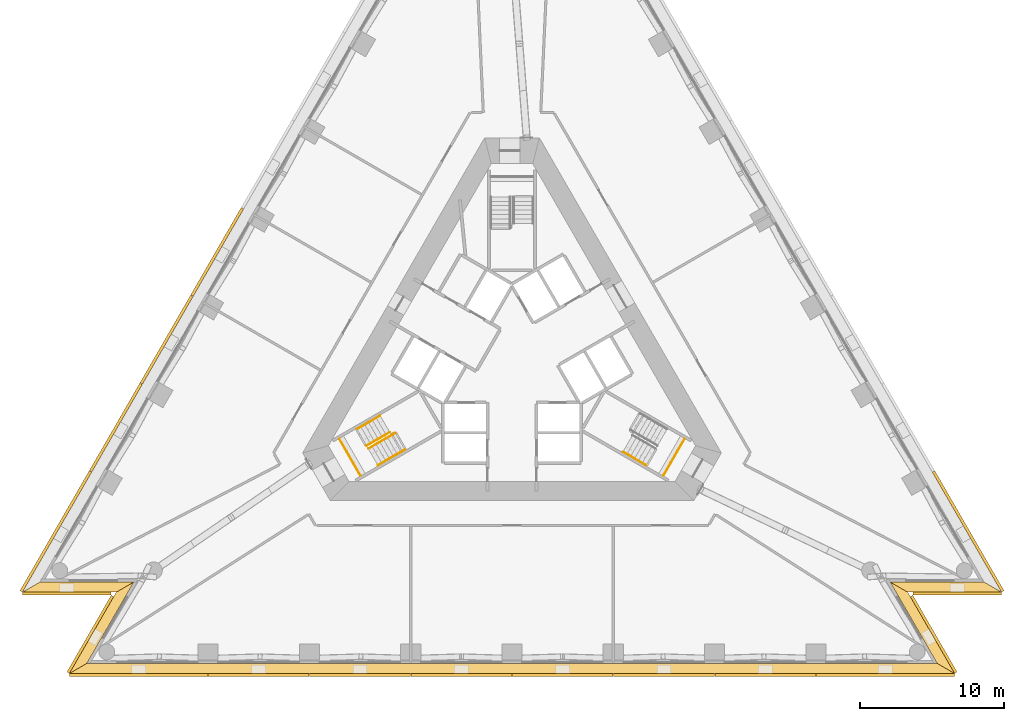
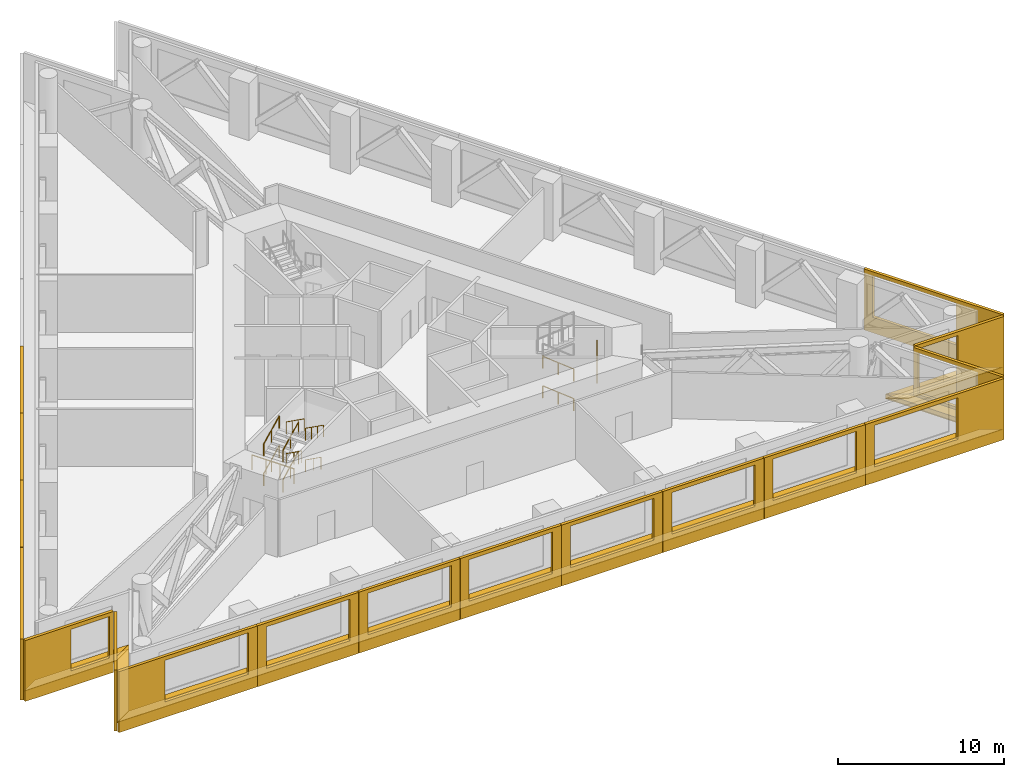
# One storey, part 11 of 12: 22 shading devices, 12 railings, 5 coverings, 2 elements without a shape of their own.
"""IFC4 building model written with IfcOpenShell, lengths in metres."""

from ifc_helpers import new_model, si_unit, direction, frame, origin, origin_2d, place, context, subcontext, project, spatial, polyline, circle, outline, extrude, material, layer, layer_set, layer_usage, type_object, element, aggregate, save


model = new_model("IFC4")

# Units and contexts
model_context = context("Model", 3, precision=1e-05, world=origin(), true_north=direction((0.0, 1.0)))
body_context = subcontext(model_context, "Body", "Model", "MODEL_VIEW")
ifc_project = project(units=[si_unit("LENGTHUNIT", "METRE"), si_unit("AREAUNIT", "SQUARE_METRE"), si_unit("VOLUMEUNIT", "CUBIC_METRE"), si_unit("PLANEANGLEUNIT", "RADIAN"), si_unit("MASSUNIT", "GRAM", prefix="KILO")], contexts=[model_context])

# Site, building, storey
site_placement = place(None, origin())
site = spatial("IfcSite", under=ifc_project, at=site_placement, CompositionType="ELEMENT")
building_placement = place(site_placement, origin())
building = spatial("IfcBuilding", under=site, at=building_placement, Name="Triada Interchange Tower", CompositionType="ELEMENT")
storey_placement = place(building_placement, frame((0.0, 0.0, 99.800048828125)))
storey = spatial("IfcBuildingStorey", under=building, at=storey_placement, Name="L22", CompositionType="ELEMENT", Elevation=99.800048828125)

# Coverings
ifc_material_1 = material(Name="Mineral fire-stop board")
ifc_layer_1 = layer(ifc_material_1, 0.0400390625, Name="Mineral fire-stop board")
ifc_material_2 = material(Name="Intumescent sealant")
ifc_layer_2 = layer(ifc_material_2, 0.010009765625, Name="Intumescent seal")
ifc_layer_set_1 = layer_set([ifc_layer_1, ifc_layer_2], Name="Cavity fire stop")
ifc_layer_usage = layer_usage(ifc_layer_set_1, "AXIS3", "POSITIVE", 0.0)
covering_type = type_object("IfcCoveringType", Name="Cavity fire stop", PredefinedType="INSULATION", material=ifc_layer_set_1)
covering_1_placement = place(storey_placement, origin())
element("IfcCovering", 1, at=covering_1_placement, inside=storey, type_object=covering_type, material=ifc_layer_usage, Name="Cavity fire stop L22 SW-1", PredefinedType="INSULATION", context=body_context, shape_type="SweptSolid", body=[
    extrude(outline(polyline([(-32.81103515625, -15.177001953125), (-34.02294921875, -15.876953125), (-27.4990234375, -15.876953125), (-26.287109375, -15.177001953125), (-32.81103515625, -15.177001953125)])), origin(), (0.0, 0.0, 1.0), 0.050048828125),
])
covering_2_placement = place(storey_placement, origin())
element("IfcCovering", 2, at=covering_2_placement, inside=storey, type_object=covering_type, material=ifc_layer_usage, Name="Cavity fire stop L22 SW-2", PredefinedType="INSULATION", context=body_context, shape_type="SweptSolid", body=[
    extrude(outline(polyline([(-26.287109375, -15.177001953125), (-27.4990234375, -15.876953125), (-30.760986328125, -21.527099609375), (-29.549072265625, -20.826904296875), (-26.287109375, -15.177001953125)])), origin(), (0.0, 0.0, 1.0), 0.050048828125),
])
covering_3_placement = place(storey_placement, origin())
element("IfcCovering", 3, at=covering_3_placement, inside=storey, type_object=covering_type, material=ifc_layer_usage, Name="Cavity fire stop L22 S", PredefinedType="INSULATION", context=body_context, shape_type="SweptSolid", body=[
    extrude(outline(polyline([(-29.549072265625, -20.826904296875), (-30.760986328125, -21.527099609375), (30.760986328125, -21.527099609375), (29.549072265625, -20.826904296875), (-29.549072265625, -20.826904296875)])), origin(), (0.0, 0.0, 1.0), 0.050048828125),
])
covering_4_placement = place(storey_placement, origin())
element("IfcCovering", 4, at=covering_4_placement, inside=storey, type_object=covering_type, material=ifc_layer_usage, Name="Cavity fire stop L22 SE-1", PredefinedType="INSULATION", context=body_context, shape_type="SweptSolid", body=[
    extrude(outline(polyline([(29.549072265625, -20.826904296875), (30.760986328125, -21.527099609375), (27.4990234375, -15.876953125), (26.287109375, -15.177001953125), (29.549072265625, -20.826904296875)])), origin(), (0.0, 0.0, 1.0), 0.050048828125),
])
covering_5_placement = place(storey_placement, origin())
element("IfcCovering", 5, at=covering_5_placement, inside=storey, type_object=covering_type, material=ifc_layer_usage, Name="Cavity fire stop L22 SE-2", PredefinedType="INSULATION", context=body_context, shape_type="SweptSolid", body=[
    extrude(outline(polyline([(26.287109375, -15.177001953125), (27.4990234375, -15.876953125), (34.02294921875, -15.876953125), (32.81103515625, -15.177001953125), (26.287109375, -15.177001953125)])), origin(), (0.0, 0.0, 1.0), 0.050048828125),
])

# Shading devices
ifc_material_3 = material(Name="Aluminium louvre", Category="aluminium")
shading_device_type_1 = type_object("IfcShadingDeviceType", Name="Cavity louvre grille", PredefinedType="JALOUSIE", material=ifc_material_3)
shading_device_1_placement = place(storey_placement, frame((0.0, 0.0, 0.050048828125)))
element("IfcShadingDevice", 6, at=shading_device_1_placement, inside=storey, type_object=shading_device_type_1, Name="Cavity louvre grille L22 SW-1", PredefinedType="JALOUSIE", context=body_context, shape_type="SweptSolid", body=[
    extrude(outline(polyline([(-32.81103515625, -15.177001953125), (-34.02294921875, -15.876953125), (-27.4990234375, -15.876953125), (-26.287109375, -15.177001953125), (-32.81103515625, -15.177001953125)])), origin(), (0.0, 0.0, 1.0), 0.2998046875),
])
shading_device_2_placement = place(storey_placement, frame((0.0, 0.0, 0.050048828125)))
element("IfcShadingDevice", 7, at=shading_device_2_placement, inside=storey, type_object=shading_device_type_1, Name="Cavity louvre grille L22 SW-2", PredefinedType="JALOUSIE", context=body_context, shape_type="SweptSolid", body=[
    extrude(outline(polyline([(-26.287109375, -15.177001953125), (-27.4990234375, -15.876953125), (-30.760986328125, -21.527099609375), (-29.549072265625, -20.826904296875), (-26.287109375, -15.177001953125)])), origin(), (0.0, 0.0, 1.0), 0.2998046875),
])
shading_device_3_placement = place(storey_placement, frame((0.0, 0.0, 0.050048828125)))
element("IfcShadingDevice", 8, at=shading_device_3_placement, inside=storey, type_object=shading_device_type_1, Name="Cavity louvre grille L22 S", PredefinedType="JALOUSIE", context=body_context, shape_type="SweptSolid", body=[
    extrude(outline(polyline([(-29.549072265625, -20.826904296875), (-30.760986328125, -21.527099609375), (30.760986328125, -21.527099609375), (29.549072265625, -20.826904296875), (-29.549072265625, -20.826904296875)])), origin(), (0.0, 0.0, 1.0), 0.2998046875),
])
shading_device_4_placement = place(storey_placement, frame((0.0, 0.0, 0.050048828125)))
element("IfcShadingDevice", 9, at=shading_device_4_placement, inside=storey, type_object=shading_device_type_1, Name="Cavity louvre grille L22 SE-1", PredefinedType="JALOUSIE", context=body_context, shape_type="SweptSolid", body=[
    extrude(outline(polyline([(29.549072265625, -20.826904296875), (30.760986328125, -21.527099609375), (27.4990234375, -15.876953125), (26.287109375, -15.177001953125), (29.549072265625, -20.826904296875)])), origin(), (0.0, 0.0, 1.0), 0.2998046875),
])
shading_device_5_placement = place(storey_placement, frame((0.0, 0.0, 0.050048828125)))
element("IfcShadingDevice", 10, at=shading_device_5_placement, inside=storey, type_object=shading_device_type_1, Name="Cavity louvre grille L22 SE-2", PredefinedType="JALOUSIE", context=body_context, shape_type="SweptSolid", body=[
    extrude(outline(polyline([(26.287109375, -15.177001953125), (27.4990234375, -15.876953125), (34.02294921875, -15.876953125), (32.81103515625, -15.177001953125), (26.287109375, -15.177001953125)])), origin(), (0.0, 0.0, 1.0), 0.2998046875),
])
ifc_material_4 = material(Name="Concrete C50/60 precast", Category="concrete")
ifc_layer_3 = layer(ifc_material_4, 0.02001953125, Name="Exposed aggregate face")
ifc_layer_4 = layer(ifc_material_4, 0.179931640625, Name="Precast concrete screen")
ifc_layer_set_2 = layer_set([ifc_layer_3, ifc_layer_4], Name="Outer skin screen panel 4480")
shading_device_type_2 = type_object("IfcShadingDeviceType", Name="Outer skin screen panel 4480", PredefinedType="SHUTTER", material=ifc_layer_set_2)
shading_device_6_placement = place(storey_placement, frame((-18.64794921875, 10.7548828125, -0.590087890625), z_axis=(0.0, 0.0, 1.0), x_axis=(-0.499980340241, -0.866036754054, 0.0)))
element("IfcShadingDevice", 11, at=shading_device_6_placement, inside=storey, type_object=shading_device_type_2, Name="Outer skin screen panel L22 05", PredefinedType="SHUTTER", context=body_context, shape_type="SweptSolid", body=[
    extrude(outline(polyline([(0.0, 0.0), (7.020263671875, 0.0), (7.020263671875, 4.47998046875), (0.0, 4.47998046875), (0.0, 0.0)]), holes=[polyline([(0.610107421875, 1.139892578125), (0.610107421875, 4.18994140625), (6.409912109375, 4.18994140625), (6.409912109375, 1.139892578125), (0.610107421875, 1.139892578125)])]), frame((0.0, 0.0, 0.0), z_axis=(0.0, -1.0, 0.0), x_axis=(1.0, 0.0, 0.0)), (0.0, 0.0, 1.0), 0.199951171875),
])
shading_device_7_placement = place(storey_placement, frame((-22.16796875, 4.656982421875, -0.590087890625), z_axis=(0.0, 0.0, 1.0), x_axis=(-0.49996528239, -0.866045447078, 0.0)))
element("IfcShadingDevice", 12, at=shading_device_7_placement, inside=storey, type_object=shading_device_type_2, Name="Outer skin screen panel L22 06", PredefinedType="SHUTTER", context=body_context, shape_type="SweptSolid", body=[
    extrude(outline(polyline([(0.0, 0.0), (7.0205078125, 0.0), (7.0205078125, 4.47998046875), (0.0, 4.47998046875), (0.0, 0.0)]), holes=[polyline([(0.610107421875, 1.139892578125), (0.610107421875, 4.18994140625), (6.41015625, 4.18994140625), (6.41015625, 1.139892578125), (0.610107421875, 1.139892578125)])]), frame((0.0, 0.0, 0.0), z_axis=(0.0, -1.0, 0.0), x_axis=(1.0, 0.0, 0.0)), (0.0, 0.0, 1.0), 0.199951171875),
])
shading_device_8_placement = place(storey_placement, frame((-25.68798828125, -1.43994140625, -0.590087890625), z_axis=(0.0, 0.0, 1.0), x_axis=(-0.500009374365, -0.866019991425, 0.0)))
element("IfcShadingDevice", 13, at=shading_device_8_placement, inside=storey, type_object=shading_device_type_2, Name="Outer skin screen panel L22 07", PredefinedType="SHUTTER", context=body_context, shape_type="SweptSolid", body=[
    extrude(outline(polyline([(0.0, 0.0), (7.021728515625, 0.0), (7.021728515625, 4.47998046875), (0.0, 4.47998046875), (0.0, 0.0)]), holes=[polyline([(0.610107421875, 1.139892578125), (0.610107421875, 4.18994140625), (6.41015625, 4.18994140625), (6.41015625, 1.139892578125), (0.610107421875, 1.139892578125)])]), frame((0.0, 0.0, 0.0), z_axis=(0.0, -1.0, 0.0), x_axis=(1.0, 0.0, 0.0)), (0.0, 0.0, 1.0), 0.199951171875),
])
shading_device_9_placement = place(storey_placement, frame((-29.208984375, -7.5380859375, -0.590087890625), z_axis=(0.0, 0.0, 1.0), x_axis=(-0.499988314375, -0.866032150378, 0.0)))
element("IfcShadingDevice", 14, at=shading_device_9_placement, inside=storey, type_object=shading_device_type_2, Name="Outer skin screen panel L22 08", PredefinedType="SHUTTER", context=body_context, shape_type="SweptSolid", body=[
    extrude(outline(polyline([(0.0, 0.0), (9.618408203125, 0.0), (9.618408203125, 4.47998046875), (0.0, 4.47998046875), (0.0, 0.0)]), holes=[polyline([(0.6103515625, 1.139892578125), (0.6103515625, 4.18994140625), (6.410400390625, 4.18994140625), (6.410400390625, 1.139892578125), (0.6103515625, 1.139892578125)])]), frame((0.0, 0.0, 0.0), z_axis=(0.0, -1.0, 0.0), x_axis=(1.0, 0.0, 0.0)), (0.0, 0.0, 1.0), 0.199951171875),
])
shading_device_10_placement = place(storey_placement, frame((-34.012939453125, -15.876953125, -0.590087890625), z_axis=(0.0, 0.0, 1.0), x_axis=(1.0, 0.0, 0.0)))
element("IfcShadingDevice", 15, at=shading_device_10_placement, inside=storey, type_object=shading_device_type_2, Name="Outer skin screen panel L22 09", PredefinedType="SHUTTER", context=body_context, shape_type="SweptSolid", body=[
    extrude(outline(polyline([(0.0, 0.0), (6.156982421875, 0.0), (6.156982421875, 4.47998046875), (0.0, 4.47998046875), (0.0, 0.0)]), holes=[polyline([(3.175048828125, 1.139892578125), (3.175048828125, 4.18994140625), (5.85693359375, 4.18994140625), (5.85693359375, 1.139892578125), (3.175048828125, 1.139892578125)])]), frame((0.0, 0.0, 0.0), z_axis=(0.0, -1.0, 0.0), x_axis=(1.0, 0.0, 0.0)), (0.0, 0.0, 1.0), 0.199951171875),
])
shading_device_11_placement = place(storey_placement, frame((-27.677978515625, -16.18603515625, -0.590087890625), z_axis=(0.0, 0.0, 1.0), x_axis=(-0.499960447986, -0.866048237946, 0.0)))
element("IfcShadingDevice", 16, at=shading_device_11_placement, inside=storey, type_object=shading_device_type_2, Name="Outer skin screen panel L22 10", PredefinedType="SHUTTER", context=body_context, shape_type="SweptSolid", body=[
    extrude(outline(polyline([(0.0, 0.0), (6.15673828125, 0.0), (6.15673828125, 4.47998046875), (0.0, 4.47998046875), (0.0, 0.0)]), holes=[polyline([(0.300048828125, 1.139892578125), (0.300048828125, 4.18994140625), (2.9580078125, 4.18994140625), (2.9580078125, 1.139892578125), (0.300048828125, 1.139892578125)])]), frame((0.0, 0.0, 0.0), z_axis=(0.0, -1.0, 0.0), x_axis=(1.0, 0.0, 0.0)), (0.0, 0.0, 1.0), 0.199951171875),
])
shading_device_12_placement = place(storey_placement, frame((-30.7509765625, -21.527099609375, -0.590087890625), z_axis=(0.0, 0.0, 1.0), x_axis=(1.0, 0.0, 0.0)))
element("IfcShadingDevice", 17, at=shading_device_12_placement, inside=storey, type_object=shading_device_type_2, Name="Outer skin screen panel L22 11", PredefinedType="SHUTTER", context=body_context, shape_type="SweptSolid", body=[
    extrude(outline(polyline([(0.0, 0.0), (9.618896484375, 0.0), (9.618896484375, 4.47998046875), (0.0, 4.47998046875), (0.0, 0.0)]), holes=[polyline([(3.2080078125, 1.139892578125), (3.2080078125, 4.18994140625), (9.008056640625, 4.18994140625), (9.008056640625, 1.139892578125), (3.2080078125, 1.139892578125)])]), frame((0.0, 0.0, 0.0), z_axis=(0.0, -1.0, 0.0), x_axis=(1.0, 0.0, 0.0)), (0.0, 0.0, 1.0), 0.199951171875),
])
shading_device_13_placement = place(storey_placement, frame((-21.112060546875, -21.527099609375, -0.590087890625), z_axis=(0.0, 0.0, 1.0), x_axis=(1.0, 0.0, 0.0)))
element("IfcShadingDevice", 18, at=shading_device_13_placement, inside=storey, type_object=shading_device_type_2, Name="Outer skin screen panel L22 12", PredefinedType="SHUTTER", context=body_context, shape_type="SweptSolid", body=[
    extrude(outline(polyline([(0.0, 0.0), (7.02001953125, 0.0), (7.02001953125, 4.47998046875), (0.0, 4.47998046875), (0.0, 0.0)]), holes=[polyline([(0.6103515625, 1.139892578125), (0.6103515625, 4.18994140625), (6.41015625, 4.18994140625), (6.41015625, 1.139892578125), (0.6103515625, 1.139892578125)])]), frame((0.0, 0.0, 0.0), z_axis=(0.0, -1.0, 0.0), x_axis=(1.0, 0.0, 0.0)), (0.0, 0.0, 1.0), 0.199951171875),
])
shading_device_14_placement = place(storey_placement, frame((-14.072021484375, -21.527099609375, -0.590087890625), z_axis=(0.0, 0.0, 1.0), x_axis=(1.0, 0.0, 0.0)))
element("IfcShadingDevice", 19, at=shading_device_14_placement, inside=storey, type_object=shading_device_type_2, Name="Outer skin screen panel L22 13", PredefinedType="SHUTTER", context=body_context, shape_type="SweptSolid", body=[
    extrude(outline(polyline([(0.0, 0.0), (7.02099609375, 0.0), (7.02099609375, 4.47998046875), (0.0, 4.47998046875), (0.0, 0.0)]), holes=[polyline([(0.610595703125, 1.139892578125), (0.610595703125, 4.18994140625), (6.410400390625, 4.18994140625), (6.410400390625, 1.139892578125), (0.610595703125, 1.139892578125)])]), frame((0.0, 0.0, 0.0), z_axis=(0.0, -1.0, 0.0), x_axis=(1.0, 0.0, 0.0)), (0.0, 0.0, 1.0), 0.199951171875),
])
shading_device_15_placement = place(storey_placement, frame((-7.031005859375, -21.527099609375, -0.590087890625), z_axis=(0.0, 0.0, 1.0), x_axis=(1.0, 0.0, 0.0)))
element("IfcShadingDevice", 20, at=shading_device_15_placement, inside=storey, type_object=shading_device_type_2, Name="Outer skin screen panel L22 14", PredefinedType="SHUTTER", context=body_context, shape_type="SweptSolid", body=[
    extrude(outline(polyline([(0.0, 0.0), (7.02099609375, 0.0), (7.02099609375, 4.47998046875), (0.0, 4.47998046875), (0.0, 0.0)]), holes=[polyline([(0.610595703125, 1.139892578125), (0.610595703125, 4.18994140625), (6.410888671875, 4.18994140625), (6.410888671875, 1.139892578125), (0.610595703125, 1.139892578125)])]), frame((0.0, 0.0, 0.0), z_axis=(0.0, -1.0, 0.0), x_axis=(1.0, 0.0, 0.0)), (0.0, 0.0, 1.0), 0.199951171875),
])
shading_device_16_placement = place(storey_placement, frame((0.010009765625, -21.527099609375, -0.590087890625), z_axis=(0.0, 0.0, 1.0), x_axis=(1.0, 0.0, 0.0)))
element("IfcShadingDevice", 21, at=shading_device_16_placement, inside=storey, type_object=shading_device_type_2, Name="Outer skin screen panel L22 15", PredefinedType="SHUTTER", context=body_context, shape_type="SweptSolid", body=[
    extrude(outline(polyline([(0.0, 0.0), (7.02099609375, 0.0), (7.02099609375, 4.47998046875), (0.0, 4.47998046875), (0.0, 0.0)]), holes=[polyline([(0.610107421875, 1.139892578125), (0.610107421875, 4.18994140625), (6.409912109375, 4.18994140625), (6.409912109375, 1.139892578125), (0.610107421875, 1.139892578125)])]), frame((0.0, 0.0, 0.0), z_axis=(0.0, -1.0, 0.0), x_axis=(1.0, 0.0, 0.0)), (0.0, 0.0, 1.0), 0.199951171875),
])
shading_device_17_placement = place(storey_placement, frame((7.051025390625, -21.527099609375, -0.590087890625), z_axis=(0.0, 0.0, 1.0), x_axis=(1.0, 0.0, 0.0)))
element("IfcShadingDevice", 22, at=shading_device_17_placement, inside=storey, type_object=shading_device_type_2, Name="Outer skin screen panel L22 16", PredefinedType="SHUTTER", context=body_context, shape_type="SweptSolid", body=[
    extrude(outline(polyline([(0.0, 0.0), (7.02099609375, 0.0), (7.02099609375, 4.47998046875), (0.0, 4.47998046875), (0.0, 0.0)]), holes=[polyline([(0.6103515625, 1.139892578125), (0.6103515625, 4.18994140625), (6.410400390625, 4.18994140625), (6.410400390625, 1.139892578125), (0.6103515625, 1.139892578125)])]), frame((0.0, 0.0, 0.0), z_axis=(0.0, -1.0, 0.0), x_axis=(1.0, 0.0, 0.0)), (0.0, 0.0, 1.0), 0.199951171875),
])
shading_device_18_placement = place(storey_placement, frame((14.091064453125, -21.527099609375, -0.590087890625), z_axis=(0.0, 0.0, 1.0), x_axis=(1.0, 0.0, 0.0)))
element("IfcShadingDevice", 23, at=shading_device_18_placement, inside=storey, type_object=shading_device_type_2, Name="Outer skin screen panel L22 17", PredefinedType="SHUTTER", context=body_context, shape_type="SweptSolid", body=[
    extrude(outline(polyline([(0.0, 0.0), (7.02099609375, 0.0), (7.02099609375, 4.47998046875), (0.0, 4.47998046875), (0.0, 0.0)]), holes=[polyline([(0.610595703125, 1.139892578125), (0.610595703125, 4.18994140625), (6.410400390625, 4.18994140625), (6.410400390625, 1.139892578125), (0.610595703125, 1.139892578125)])]), frame((0.0, 0.0, 0.0), z_axis=(0.0, -1.0, 0.0), x_axis=(1.0, 0.0, 0.0)), (0.0, 0.0, 1.0), 0.199951171875),
])
shading_device_19_placement = place(storey_placement, frame((21.132080078125, -21.527099609375, -0.590087890625), z_axis=(0.0, 0.0, 1.0), x_axis=(1.0, 0.0, 0.0)))
element("IfcShadingDevice", 24, at=shading_device_19_placement, inside=storey, type_object=shading_device_type_2, Name="Outer skin screen panel L22 18", PredefinedType="SHUTTER", context=body_context, shape_type="SweptSolid", body=[
    extrude(outline(polyline([(0.0, 0.0), (9.618896484375, 0.0), (9.618896484375, 4.47998046875), (0.0, 4.47998046875), (0.0, 0.0)]), holes=[polyline([(0.610595703125, 1.139892578125), (0.610595703125, 4.18994140625), (6.410888671875, 4.18994140625), (6.410888671875, 1.139892578125), (0.610595703125, 1.139892578125)])]), frame((0.0, 0.0, 0.0), z_axis=(0.0, -1.0, 0.0), x_axis=(1.0, 0.0, 0.0)), (0.0, 0.0, 1.0), 0.199951171875),
])
shading_device_20_placement = place(storey_placement, frame((30.756103515625, -21.51806640625, -0.590087890625), z_axis=(0.0, 0.0, 1.0), x_axis=(-0.499960447986, 0.866048237946, 0.0)))
element("IfcShadingDevice", 25, at=shading_device_20_placement, inside=storey, type_object=shading_device_type_2, Name="Outer skin screen panel L22 19", PredefinedType="SHUTTER", context=body_context, shape_type="SweptSolid", body=[
    extrude(outline(polyline([(0.0, 0.0), (6.15673828125, 0.0), (6.15673828125, 4.47998046875), (0.0, 4.47998046875), (0.0, 0.0)]), holes=[polyline([(3.17529296875, 1.139892578125), (3.17529296875, 4.18994140625), (5.857421875, 4.18994140625), (5.857421875, 1.139892578125), (3.17529296875, 1.139892578125)])]), frame((0.0, 0.0, 0.0), z_axis=(0.0, -1.0, 0.0), x_axis=(1.0, 0.0, 0.0)), (0.0, 0.0, 1.0), 0.199951171875),
])
shading_device_21_placement = place(storey_placement, frame((27.85595703125, -15.876953125, -0.590087890625), z_axis=(0.0, 0.0, 1.0), x_axis=(1.0, 0.0, 0.0)))
element("IfcShadingDevice", 26, at=shading_device_21_placement, inside=storey, type_object=shading_device_type_2, Name="Outer skin screen panel L22 20", PredefinedType="SHUTTER", context=body_context, shape_type="SweptSolid", body=[
    extrude(outline(polyline([(0.0, 0.0), (6.156982421875, 0.0), (6.156982421875, 4.47998046875), (0.0, 4.47998046875), (0.0, 0.0)]), holes=[polyline([(0.300048828125, 1.139892578125), (0.300048828125, 4.18994140625), (2.9580078125, 4.18994140625), (2.9580078125, 1.139892578125), (0.300048828125, 1.139892578125)])]), frame((0.0, 0.0, 0.0), z_axis=(0.0, -1.0, 0.0), x_axis=(1.0, 0.0, 0.0)), (0.0, 0.0, 1.0), 0.199951171875),
])
shading_device_22_placement = place(storey_placement, frame((34.01806640625, -15.867919921875, -0.590087890625), z_axis=(0.0, 0.0, 1.0), x_axis=(-0.499988314375, 0.866032150378, 0.0)))
element("IfcShadingDevice", 27, at=shading_device_22_placement, inside=storey, type_object=shading_device_type_2, Name="Outer skin screen panel L22 21", PredefinedType="SHUTTER", context=body_context, shape_type="SweptSolid", body=[
    extrude(outline(polyline([(0.0, 0.0), (9.618408203125, 0.0), (9.618408203125, 4.47998046875), (0.0, 4.47998046875), (0.0, 0.0)]), holes=[polyline([(3.208251953125, 1.139892578125), (3.208251953125, 4.18994140625), (9.00830078125, 4.18994140625), (9.00830078125, 1.139892578125), (3.208251953125, 1.139892578125)])]), frame((0.0, 0.0, 0.0), z_axis=(0.0, -1.0, 0.0), x_axis=(1.0, 0.0, 0.0)), (0.0, 0.0, 1.0), 0.199951171875),
])

# Stair, railing
ifc_material_5 = material(Name="Concrete C35/45", Category="concrete")
stair_type = type_object("IfcStairType", Name="HALF TURN STAIR 1400", PredefinedType="HALF_TURN_STAIR", material=ifc_material_5)
stair_1_placement = place(storey_placement, origin())
stair_1 = element("IfcStair", 28, at=stair_1_placement, inside=storey, type_object=stair_type, Name="Exit stair S22-2", PredefinedType="HALF_TURN_STAIR")
ifc_material_6 = material(Name="Stainless steel 1.4301", Category="steel")
railing_type_1 = type_object("IfcRailingType", Name="STAIR GUARD 1100", PredefinedType="GUARDRAIL", material=ifc_material_6)
railing_1_placement = place(storey_placement, frame((-11.98291015625, -5.243896484375, 2.17236328125)))
railing_1 = element("IfcRailing", 29, at=railing_1_placement, type_object=railing_type_1, Name="Guard S22-2 1", PredefinedType="GUARDRAIL", context=body_context, shape_type="SweptSolid", body=[
    extrude(circle(Radius=0.02392578125, at=origin_2d()), frame((0.0, 0.0, 1.076171875), z_axis=(0.499877891294, -0.866095891802, 0.0), x_axis=(0.866095891802, 0.499877891294, 0.0)), (0.0, 0.0, 1.0), 2.900634765625),
    extrude(circle(Radius=0.02099609375, at=origin_2d()), origin(), (0.0, 0.0, 1.0), 1.052001953125),
    extrude(circle(Radius=0.02099609375, at=origin_2d()), frame((0.4833984375, -0.83740234375, 0.0)), (0.0, 0.0, 1.0), 1.052001953125),
    extrude(circle(Radius=0.02099609375, at=origin_2d()), frame((0.966552734375, -1.6748046875, 0.0)), (0.0, 0.0, 1.0), 1.052001953125),
    extrude(circle(Radius=0.02099609375, at=origin_2d()), frame((1.449951171875, -2.51220703125, 0.0)), (0.0, 0.0, 1.0), 1.052001953125),
])

stair_2_placement = place(storey_placement, origin())
stair_2 = element("IfcStair", 30, at=stair_2_placement, inside=storey, type_object=stair_type, Name="Exit stair S22-3", PredefinedType="HALF_TURN_STAIR")
railing_2_placement = place(storey_placement, frame((10.532958984375, -7.756103515625, 2.17236328125)))
railing_2 = element("IfcRailing", 31, at=railing_2_placement, type_object=railing_type_1, Name="Guard S22-3 1", PredefinedType="GUARDRAIL", context=body_context, shape_type="SweptSolid", body=[
    extrude(circle(Radius=0.02392578125, at=origin_2d()), frame((0.0, 0.0, 1.076171875), z_axis=(0.499877891294, 0.866095891802, 0.0), x_axis=(-0.866095891802, 0.499877891294, 0.0)), (0.0, 0.0, 1.0), 2.900634765625),
    extrude(circle(Radius=0.02099609375, at=origin_2d()), origin(), (0.0, 0.0, 1.0), 1.052001953125),
    extrude(circle(Radius=0.02099609375, at=origin_2d()), frame((0.4833984375, 0.83740234375, 0.0)), (0.0, 0.0, 1.0), 1.052001953125),
    extrude(circle(Radius=0.02099609375, at=origin_2d()), frame((0.966552734375, 1.6748046875, 0.0)), (0.0, 0.0, 1.0), 1.052001953125),
    extrude(circle(Radius=0.02099609375, at=origin_2d()), frame((1.449951171875, 2.51220703125, 0.0)), (0.0, 0.0, 1.0), 1.052001953125),
])

# Railing
railing_type_2 = type_object("IfcRailingType", Name="STAIR HANDRAIL 900", PredefinedType="HANDRAIL", material=ifc_material_6)
railing_3_placement = place(storey_placement, frame((-10.77099609375, -4.5439453125, 0.155029296875)))
railing_3 = element("IfcRailing", 32, at=railing_3_placement, type_object=railing_type_2, Name="Handrail S22-2 1W", PredefinedType="HANDRAIL", context=body_context, shape_type="SweptSolid", body=[
    extrude(circle(Radius=0.02392578125, at=origin_2d()), frame((0.0, 0.0, 0.8759765625), z_axis=(0.774469289278, 0.447030386856, 0.447617194925), x_axis=(-0.499908018857, 0.866078502609, 0.0)), (0.0, 0.0, 1.0), 2.080322265625),
    extrude(circle(Radius=0.02099609375, at=origin_2d()), origin(), (0.0, 0.0, 1.0), 0.851806640625),
    extrude(circle(Radius=0.02099609375, at=origin_2d()), frame((0.8056640625, 0.46484375, 0.465576171875)), (0.0, 0.0, 1.0), 0.851806640625),
    extrude(circle(Radius=0.02099609375, at=origin_2d()), frame((1.611083984375, 0.929931640625, 0.93115234375)), (0.0, 0.0, 1.0), 0.851806640625),
])

railing_4_placement = place(storey_placement, frame((-10.10595703125, -5.696044921875, 0.155029296875)))
railing_4 = element("IfcRailing", 33, at=railing_4_placement, type_object=railing_type_2, Name="Handrail S22-2 1C", PredefinedType="HANDRAIL", context=body_context, shape_type="SweptSolid", body=[
    extrude(circle(Radius=0.02392578125, at=origin_2d()), frame((0.0, 0.0, 0.8759765625), z_axis=(0.774422315071, 0.447071021234, 0.447657882643), x_axis=(-0.499964847546, 0.866045698112, 0.0)), (0.0, 0.0, 1.0), 2.080078125),
    extrude(circle(Radius=0.02099609375, at=origin_2d()), origin(), (0.0, 0.0, 1.0), 0.851806640625),
    extrude(circle(Radius=0.02099609375, at=origin_2d()), frame((0.805419921875, 0.46484375, 0.465576171875)), (0.0, 0.0, 1.0), 0.851806640625),
    extrude(circle(Radius=0.02099609375, at=origin_2d()), frame((1.61083984375, 0.929931640625, 0.93115234375)), (0.0, 0.0, 1.0), 0.851806640625),
])

railing_5_placement = place(storey_placement, frame((-7.7099609375, -6.1259765625, 1.241455078125)))
railing_5 = element("IfcRailing", 34, at=railing_5_placement, type_object=railing_type_2, Name="Handrail S22-2 2W", PredefinedType="HANDRAIL", context=body_context, shape_type="SweptSolid", body=[
    extrude(circle(Radius=0.02392578125, at=origin_2d()), frame((0.0, 0.0, 0.8759765625), z_axis=(-0.774509972404, -0.447053869509, 0.447523340624), x_axis=(0.499908018857, -0.866078502609, 0.0)), (0.0, 0.0, 1.0), 2.080078125),
    extrude(circle(Radius=0.02099609375, at=origin_2d()), origin(), (0.0, 0.0, 1.0), 0.851806640625),
    extrude(circle(Radius=0.02099609375, at=origin_2d()), frame((-0.8056640625, -0.46484375, 0.46533203125)), (0.0, 0.0, 1.0), 0.851806640625),
    extrude(circle(Radius=0.02099609375, at=origin_2d()), frame((-1.611083984375, -0.929931640625, 0.930908203125)), (0.0, 0.0, 1.0), 0.851806640625),
])

railing_6_placement = place(storey_placement, frame((-8.375, -4.97412109375, 1.241455078125)))
railing_6 = element("IfcRailing", 35, at=railing_6_placement, type_object=railing_type_2, Name="Handrail S22-2 2C", PredefinedType="HANDRAIL", context=body_context, shape_type="SweptSolid", body=[
    extrude(circle(Radius=0.02392578125, at=origin_2d()), frame((0.0, 0.0, 0.8759765625), z_axis=(-0.774509972404, -0.447053869509, 0.447523340624), x_axis=(0.499908018857, -0.866078502609, 0.0)), (0.0, 0.0, 1.0), 2.080078125),
    extrude(circle(Radius=0.02099609375, at=origin_2d()), origin(), (0.0, 0.0, 1.0), 0.851806640625),
    extrude(circle(Radius=0.02099609375, at=origin_2d()), frame((-0.8056640625, -0.46484375, 0.46533203125)), (0.0, 0.0, 1.0), 0.851806640625),
    extrude(circle(Radius=0.02099609375, at=origin_2d()), frame((-1.611083984375, -0.929931640625, 0.930908203125)), (0.0, 0.0, 1.0), 0.851806640625),
])

railing_7_placement = place(storey_placement, frame((-10.77099609375, -4.5439453125, 2.32763671875)))
railing_7 = element("IfcRailing", 36, at=railing_7_placement, type_object=railing_type_2, Name="Handrail S22-2 3W", PredefinedType="HANDRAIL", context=body_context, shape_type="SweptSolid", body=[
    extrude(circle(Radius=0.02392578125, at=origin_2d()), frame((0.0, 0.0, 0.8759765625), z_axis=(0.774509972404, 0.447053869509, 0.447523340624), x_axis=(-0.499908018857, 0.866078502609, 0.0)), (0.0, 0.0, 1.0), 2.080078125),
    extrude(circle(Radius=0.02099609375, at=origin_2d()), origin(), (0.0, 0.0, 1.0), 0.851806640625),
    extrude(circle(Radius=0.02099609375, at=origin_2d()), frame((0.8056640625, 0.46484375, 0.46533203125)), (0.0, 0.0, 1.0), 0.851806640625),
    extrude(circle(Radius=0.02099609375, at=origin_2d()), frame((1.611083984375, 0.929931640625, 0.930908203125)), (0.0, 0.0, 1.0), 0.851806640625),
])

railing_8_placement = place(storey_placement, frame((-10.10595703125, -5.696044921875, 2.32763671875)))
railing_8 = element("IfcRailing", 37, at=railing_8_placement, type_object=railing_type_2, Name="Handrail S22-2 3C", PredefinedType="HANDRAIL", context=body_context, shape_type="SweptSolid", body=[
    extrude(circle(Radius=0.02392578125, at=origin_2d()), frame((0.0, 0.0, 0.8759765625), z_axis=(0.774463003126, 0.447094510292, 0.447564024086), x_axis=(-0.499964847546, 0.866045698112, 0.0)), (0.0, 0.0, 1.0), 2.079833984375),
    extrude(circle(Radius=0.02099609375, at=origin_2d()), origin(), (0.0, 0.0, 1.0), 0.851806640625),
    extrude(circle(Radius=0.02099609375, at=origin_2d()), frame((0.805419921875, 0.46484375, 0.46533203125)), (0.0, 0.0, 1.0), 0.851806640625),
    extrude(circle(Radius=0.02099609375, at=origin_2d()), frame((1.61083984375, 0.929931640625, 0.930908203125)), (0.0, 0.0, 1.0), 0.851806640625),
])

railing_9_placement = place(storey_placement, frame((-7.44189453125, -5.970947265625, 3.413818359375)))
railing_9 = element("IfcRailing", 38, at=railing_9_placement, type_object=railing_type_2, Name="Handrail S22-2 4W", PredefinedType="HANDRAIL", context=body_context, shape_type="SweptSolid", body=[
    extrude(circle(Radius=0.02392578125, at=origin_2d()), frame((0.0, 0.0, 0.8759765625), z_axis=(-0.774412913132, -0.447121084313, 0.447624145839), x_axis=(0.500011390128, -0.866018827591, 0.0)), (0.0, 0.0, 1.0), 2.426513671875),
    extrude(circle(Radius=0.02099609375, at=origin_2d()), origin(), (0.0, 0.0, 1.0), 0.851806640625),
    extrude(circle(Radius=0.02099609375, at=origin_2d()), frame((-0.62646484375, -0.361572265625, 0.362060546875)), (0.0, 0.0, 1.0), 0.851806640625),
    extrude(circle(Radius=0.02099609375, at=origin_2d()), frame((-1.252685546875, -0.723388671875, 0.72412109375)), (0.0, 0.0, 1.0), 0.851806640625),
    extrude(circle(Radius=0.02099609375, at=origin_2d()), frame((-1.879150390625, -1.0849609375, 1.086181640625)), (0.0, 0.0, 1.0), 0.851806640625),
])

railing_10_placement = place(storey_placement, frame((-8.10693359375, -4.819091796875, 3.413818359375)))
railing_10 = element("IfcRailing", 39, at=railing_10_placement, type_object=railing_type_2, Name="Handrail S22-2 4C", PredefinedType="HANDRAIL", context=body_context, shape_type="SweptSolid", body=[
    extrude(circle(Radius=0.02392578125, at=origin_2d()), frame((0.0, 0.0, 0.8759765625), z_axis=(-0.774412913132, -0.447121084313, 0.447624145839), x_axis=(0.500011390128, -0.866018827591, 0.0)), (0.0, 0.0, 1.0), 2.426513671875),
    extrude(circle(Radius=0.02099609375, at=origin_2d()), origin(), (0.0, 0.0, 1.0), 0.851806640625),
    extrude(circle(Radius=0.02099609375, at=origin_2d()), frame((-0.62646484375, -0.361572265625, 0.362060546875)), (0.0, 0.0, 1.0), 0.851806640625),
    extrude(circle(Radius=0.02099609375, at=origin_2d()), frame((-1.252685546875, -0.723388671875, 0.72412109375)), (0.0, 0.0, 1.0), 0.851806640625),
    extrude(circle(Radius=0.02099609375, at=origin_2d()), frame((-1.879150390625, -1.0849609375, 1.086181640625)), (0.0, 0.0, 1.0), 0.851806640625),
])

aggregate(stair_1, [railing_3, railing_4, railing_5, railing_6, railing_7, railing_8, railing_9, railing_10, railing_1])

railing_11_placement = place(storey_placement, frame((9.321044921875, -7.055908203125, 0.155029296875)))
railing_11 = element("IfcRailing", 40, at=railing_11_placement, type_object=railing_type_2, Name="Handrail S22-3 1W", PredefinedType="HANDRAIL", context=body_context, shape_type="SweptSolid", body=[
    extrude(circle(Radius=0.02392578125, at=origin_2d()), frame((0.0, 0.0, 0.8759765625), z_axis=(-0.774469289278, 0.447030386856, 0.447617194925), x_axis=(-0.499908018857, -0.866078502609, 0.0)), (0.0, 0.0, 1.0), 2.080322265625),
    extrude(circle(Radius=0.02099609375, at=origin_2d()), origin(), (0.0, 0.0, 1.0), 0.851806640625),
    extrude(circle(Radius=0.02099609375, at=origin_2d()), frame((-0.8056640625, 0.46484375, 0.465576171875)), (0.0, 0.0, 1.0), 0.851806640625),
    extrude(circle(Radius=0.02099609375, at=origin_2d()), frame((-1.611083984375, 0.929931640625, 0.93115234375)), (0.0, 0.0, 1.0), 0.851806640625),
])

railing_12_placement = place(storey_placement, frame((9.321044921875, -7.055908203125, 2.32763671875)))
railing_12 = element("IfcRailing", 41, at=railing_12_placement, type_object=railing_type_2, Name="Handrail S22-3 3W", PredefinedType="HANDRAIL", context=body_context, shape_type="SweptSolid", body=[
    extrude(circle(Radius=0.02392578125, at=origin_2d()), frame((0.0, 0.0, 0.8759765625), z_axis=(-0.774509972404, 0.447053869509, 0.447523340624), x_axis=(-0.499908018857, -0.866078502609, 0.0)), (0.0, 0.0, 1.0), 2.080078125),
    extrude(circle(Radius=0.02099609375, at=origin_2d()), origin(), (0.0, 0.0, 1.0), 0.851806640625),
    extrude(circle(Radius=0.02099609375, at=origin_2d()), frame((-0.8056640625, 0.46484375, 0.46533203125)), (0.0, 0.0, 1.0), 0.851806640625),
    extrude(circle(Radius=0.02099609375, at=origin_2d()), frame((-1.611083984375, 0.929931640625, 0.930908203125)), (0.0, 0.0, 1.0), 0.851806640625),
])

aggregate(stair_2, [railing_11, railing_12, railing_2])

save(model, "model.ifc")
